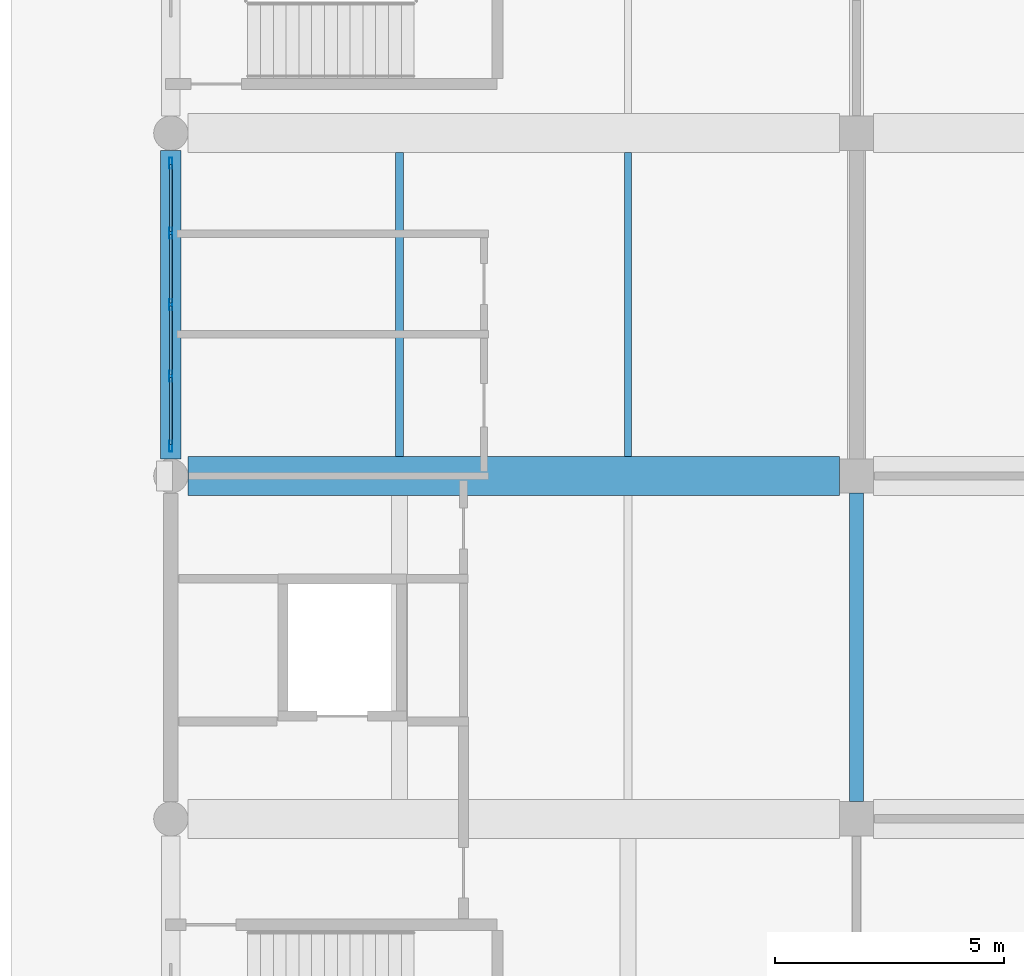
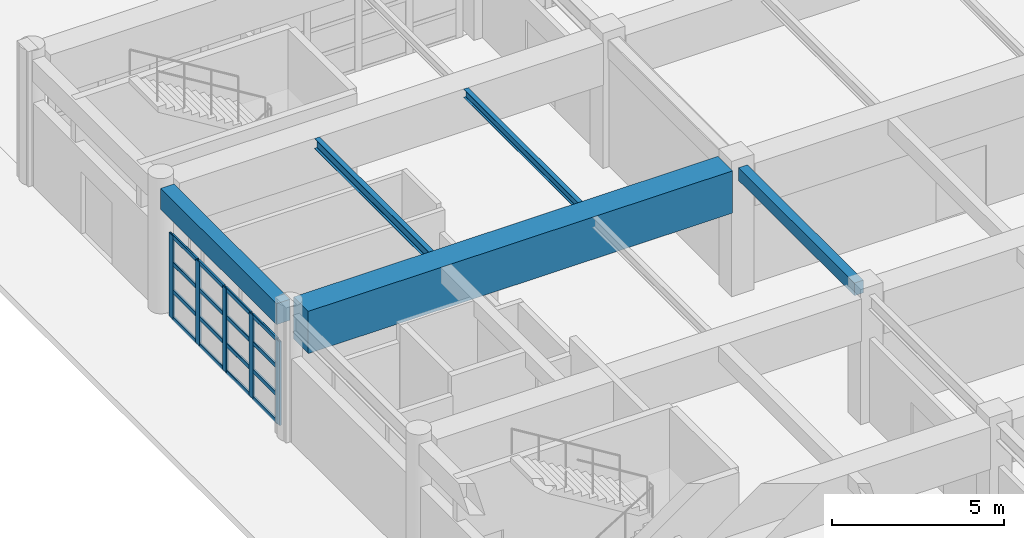
# One storey, part 11 of 122: 21 members, 5 beams, 1 element without a shape of its own.
"""IFC4 building model written with IfcOpenShell, lengths in metres."""

import ifcopenshell
import ifcopenshell.guid

model = None  # the IFC model being written
_history = None  # IfcOwnerHistory: only IFC2X3 demands one
_inside = {}  # id of a spatial element -> (the spatial element, [elements in it])
_under = {}  # id of a project, library or spatial element -> (it, [spatial elements below it])
_declared = {}  # id of a project -> (the project, [libraries it declares])
_typed = {}  # id of a type object -> (the type object, [elements of that type])
_made_of = {}  # id of a material, layer set ... -> (it, [elements and type objects made of it])


def new_model(schema):
    """Start an empty IFC model of exactly this schema.

    Asked for "IFC4X3", IfcOpenShell would pick the latest addendum, in which some entities
    have other attributes; the version numbers below select the first issue.
    IFC2X3 requires an IfcOwnerHistory on every rooted entity: one is made here for all.
    """
    global model, _history
    if schema == "IFC4X3":
        model = ifcopenshell.file(schema_version=(4, 3, 0, 0))
    else:
        model = ifcopenshell.file(schema=schema)
    _inside.clear()
    _under.clear()
    _declared.clear()
    _typed.clear()
    _made_of.clear()
    _history = None
    if model.schema == "IFC2X3":
        org = make("IfcOrganization", Name="unknown")
        user = make(
            "IfcPersonAndOrganization",
            ThePerson=make("IfcPerson", FamilyName="unknown"),
            TheOrganization=org,
        )
        app = make(
            "IfcApplication",
            ApplicationDeveloper=org,
            Version="unknown",
            ApplicationFullName="unknown",
            ApplicationIdentifier="unknown",
        )
        _history = make(
            "IfcOwnerHistory",
            OwningUser=user,
            OwningApplication=app,
            ChangeAction="ADDED",
            CreationDate=0,
        )
    return model


def make(cls, **values):
    """One entity of the class cls with the attributes given. An attribute that is None is left unset."""
    return model.create_entity(
        cls, **{name: value for name, value in values.items() if value is not None}
    )


def rooted(cls, **values):
    """An entity with a GlobalId (a new one), such as an element, a storey or a relation."""
    return make(cls, GlobalId=ifcopenshell.guid.new(), OwnerHistory=_history, **values)


def si_unit(unit_type, name, prefix=None):
    """IfcSIUnit, for example si_unit("LENGTHUNIT", "METRE", prefix="MILLI")."""
    return make("IfcSIUnit", UnitType=unit_type, Prefix=prefix, Name=name)


def assignment(units):
    """IfcUnitAssignment: the units of a project."""
    return None if units is None else make("IfcUnitAssignment", Units=units)


def point(xyz):
    """IfcCartesianPoint."""
    return None if xyz is None else make("IfcCartesianPoint", Coordinates=xyz)


def direction(xyz):
    """IfcDirection."""
    return None if xyz is None else make("IfcDirection", DirectionRatios=xyz)


def frame(location, z_axis=None, x_axis=None):
    """IfcAxis2Placement3D, a coordinate frame: its origin and axes. An axis left out is left unset."""
    return make(
        "IfcAxis2Placement3D",
        Location=point(location),
        Axis=direction(z_axis),
        RefDirection=direction(x_axis),
    )


def frame_2d(location, x_axis=None):
    """IfcAxis2Placement2D, a coordinate frame in the plane: its origin and x axis."""
    return make(
        "IfcAxis2Placement2D", Location=point(location), RefDirection=direction(x_axis)
    )


def origin():
    """The frame at (0, 0, 0) with its axes left unset."""
    return frame((0.0, 0.0, 0.0))


def origin_2d():
    """The frame at (0, 0) in the plane with its x axis left unset."""
    return frame_2d((0.0, 0.0))


def place(relative_to, where):
    """IfcLocalPlacement: puts the frame where relative to a parent placement (None: the world)."""
    return make(
        "IfcLocalPlacement", PlacementRelTo=relative_to, RelativePlacement=where
    )


def context(
    kind, dimensions, precision=None, world=None, true_north=None, identifier=None
):
    """IfcGeometricRepresentationContext, for example the 3D "Model" context."""
    return make(
        "IfcGeometricRepresentationContext",
        ContextIdentifier=identifier,
        ContextType=kind,
        CoordinateSpaceDimension=dimensions,
        Precision=precision,
        WorldCoordinateSystem=world,
        TrueNorth=true_north,
    )


def subcontext(parent, identifier, kind, view, scale=None):
    """IfcGeometricRepresentationSubContext, for example "Body" below "Model"."""
    return make(
        "IfcGeometricRepresentationSubContext",
        ContextIdentifier=identifier,
        ContextType=kind,
        ParentContext=parent,
        TargetScale=scale,
        TargetView=view,
    )


def project(units=None, contexts=None):
    """IfcProject with its units and contexts."""
    return rooted(
        "IfcProject",
        Name="project",
        RepresentationContexts=contexts,
        UnitsInContext=assignment(units),
    )


def spatial(cls, under=None, at=None, **own):
    """A site, building, storey or space (cls), placed at a placement, below another one or the project."""
    s = rooted(cls, ObjectPlacement=at, **own)
    if under is not None:
        _under.setdefault(under.id(), (under, []))[1].append(s)
    return s


def profile(cls, at=None, kind="AREA", **sizes):
    """A parametric profile (cls). Its sizes go by their IFC names, for example OverallWidth=200.0."""
    return make(cls, ProfileType=kind, Position=at, **sizes)


def rectangle(**sizes):
    """IfcRectangleProfileDef."""
    return profile("IfcRectangleProfileDef", **sizes)


def hollow_rectangle(**sizes):
    """IfcRectangleHollowProfileDef."""
    return profile("IfcRectangleHollowProfileDef", **sizes)


def i_section(**sizes):
    """IfcIShapeProfileDef."""
    return profile("IfcIShapeProfileDef", **sizes)


def extrude(swept, where, along, depth):
    """IfcExtrudedAreaSolid: the profile swept, set in the frame where, extruded along a direction by depth."""
    return make(
        "IfcExtrudedAreaSolid",
        SweptArea=swept,
        Position=where,
        ExtrudedDirection=direction(along),
        Depth=depth,
    )


def shape(context_of_items, identifier, shape_type, items):
    """IfcShapeRepresentation: the items that make up one representation, for example the "Body"."""
    return make(
        "IfcShapeRepresentation",
        ContextOfItems=context_of_items,
        RepresentationIdentifier=identifier,
        RepresentationType=shape_type,
        Items=items,
    )


def material(Name=None, Category=None):
    """IfcMaterial."""
    return make("IfcMaterial", Name=Name, Category=Category)


def material_profile(
    of_material, cross_section, Name=None, Category=None, Priority=None
):
    """IfcMaterialProfile: a cross section and its material."""
    return make(
        "IfcMaterialProfile",
        Name=Name,
        Material=of_material,
        Profile=cross_section,
        Priority=Priority,
        Category=Category,
    )


def profile_set(profiles, Name=None, composite=None):
    """IfcMaterialProfileSet."""
    return make(
        "IfcMaterialProfileSet",
        Name=Name,
        MaterialProfiles=profiles,
        CompositeProfile=composite,
    )


def made_of(thing, what):
    """Note that an element or type object is made of a material, layer set ...; save() writes the relation."""
    if what is not None:
        _made_of.setdefault(what.id(), (what, []))[1].append(thing)
    return thing


def type_object(cls, material=None, **own):
    """A type object (cls), such as IfcWallType, which elements share."""
    return made_of(rooted(cls, **own), material)


def element(
    cls,
    number,
    at=None,
    inside=None,
    cuts=None,
    type_object=None,
    material=None,
    context=None,
    identifier="Body",
    shape_type=None,
    held_by="IfcProductDefinitionShape",
    body=None,
    shapes=None,
    **own,
):
    """One element of the class cls, such as IfcWall. Its Tag is "e" and its number.

    at: its placement. inside: the storey or other place that contains it. cuts: it is an
    opening in that element (IfcRelVoidsElement). A single representation is given by context,
    identifier, shape_type and body (its items); several are given by shapes. held_by: the class
    of the entity that holds the representations. save() writes the other relations.
    """
    e = rooted(cls, Tag="e%d" % number, ObjectPlacement=at, **own)
    if body is not None:
        shapes = [shape(context, identifier, shape_type, body)]
    if shapes is not None:
        e.Representation = make(held_by, Representations=shapes)
    if inside is not None:
        _inside.setdefault(inside.id(), (inside, []))[1].append(e)
    if cuts is not None:
        rooted(
            "IfcRelVoidsElement", RelatingBuildingElement=cuts, RelatedOpeningElement=e
        )
    if type_object is not None:
        _typed.setdefault(type_object.id(), (type_object, []))[1].append(e)
    return made_of(e, material)


def aggregate(whole, parts):
    """IfcRelAggregates: a whole, such as a stair, and the parts it consists of."""
    return rooted("IfcRelAggregates", RelatingObject=whole, RelatedObjects=parts)


def save(model, path):
    """Write the relations noted so far, then the file.

    IfcRelAggregates (storeys below a building ...), IfcRelContainedInSpatialStructure (elements
    in a storey), IfcRelDefinesByType, IfcRelAssociatesMaterial and IfcRelDeclares: one each for
    every whole, place, type object, material and project.
    """
    for whole, parts in _under.values():
        aggregate(whole, parts)
    for where, things in _inside.values():
        rooted(
            "IfcRelContainedInSpatialStructure",
            RelatedElements=things,
            RelatingStructure=where,
        )
    for kind, things in _typed.values():
        rooted("IfcRelDefinesByType", RelatedObjects=things, RelatingType=kind)
    for what, things in _made_of.values():
        rooted("IfcRelAssociatesMaterial", RelatedObjects=things, RelatingMaterial=what)
    for by, libraries in _declared.values():
        rooted("IfcRelDeclares", RelatingContext=by, RelatedDefinitions=libraries)
    model.write(path)


model = new_model("IFC4")

# Units and contexts
model_context = context("Model", 3, precision=1e-05, world=origin(), true_north=direction((0.0, 1.0)))
body_context = subcontext(model_context, "Body", "Model", "MODEL_VIEW")
ifc_project = project(units=[si_unit("LENGTHUNIT", "METRE"), si_unit("AREAUNIT", "SQUARE_METRE"), si_unit("VOLUMEUNIT", "CUBIC_METRE"), si_unit("PLANEANGLEUNIT", "RADIAN"), si_unit("MASSUNIT", "GRAM", prefix="KILO")], contexts=[model_context])

# Site, building, storey
site_placement = place(None, origin())
site = spatial("IfcSite", under=ifc_project, at=site_placement, CompositionType="ELEMENT")
building_placement = place(site_placement, origin())
building = spatial("IfcBuilding", under=site, at=building_placement, Name="Qasida Concert Hall", CompositionType="ELEMENT")
storey_placement = place(building_placement, origin())
storey = spatial("IfcBuildingStorey", under=building, at=storey_placement, Name="L00", CompositionType="ELEMENT", Elevation=0.0)

# Beams
ifc_material_1 = material(Name="Concrete C40/50", Category="concrete")
ifc_material_profile_1 = material_profile(ifc_material_1, rectangle(XDim=0.300048828125, YDim=0.449951171875, at=origin_2d()), Name="RC 300x450")
ifc_profile_set_1 = profile_set([ifc_material_profile_1], Name="Concrete C40/50")
beam_type_1 = type_object("IfcBeamType", Name="BM-B3", PredefinedType="BEAM", material=ifc_profile_set_1)
beam_1_placement = place(storey_placement, frame((15.0, 30.375, 4.27490234375), z_axis=(0.0, 1.0, 0.0), x_axis=(-1.0, 0.0, 0.0)))
element("IfcBeam", 1, at=beam_1_placement, inside=storey, type_object=beam_type_1, Name="L00 girder 0543", PredefinedType="BEAM", context=body_context, shape_type="SweptSolid", body=[
    extrude(rectangle(XDim=0.300048828125, YDim=0.449951171875, at=origin_2d()), origin(), (0.0, 0.0, 1.0), 6.75),
])
ifc_material_2 = material(Name="Steel S355J2", Category="steel")
ifc_material_profile_2 = material_profile(ifc_material_2, i_section(OverallWidth=0.169921875, OverallDepth=0.360107421875, WebThickness=0.008056640625, FlangeThickness=0.0126953125, FilletRadius=0.01806640625, at=origin_2d()), Name="IPE 360")
ifc_profile_set_2 = profile_set([ifc_material_profile_2], Name="Steel S355J2")
beam_type_2 = type_object("IfcBeamType", Name="BM-J2", PredefinedType="JOIST", material=ifc_profile_set_2)
beam_2_placement = place(storey_placement, frame((5.0, 37.925048828125, 4.320068359375), z_axis=(0.0, 1.0, 0.0), x_axis=(-1.0, 0.0, 0.0)))
element("IfcBeam", 2, at=beam_2_placement, inside=storey, type_object=beam_type_2, Name="L00 secondary joist 0569", PredefinedType="JOIST", context=body_context, shape_type="SweptSolid", body=[
    extrude(i_section(OverallWidth=0.169921875, OverallDepth=0.360107421875, WebThickness=0.008056640625, FlangeThickness=0.0126953125, FilletRadius=0.01806640625, at=origin_2d()), origin(), (0.0, 0.0, 1.0), 6.64990234375),
])
ifc_material_profile_3 = material_profile(ifc_material_2, i_section(OverallWidth=0.14990234375, OverallDepth=0.300048828125, WebThickness=0.007080078125, FlangeThickness=0.0107421875, FilletRadius=0.014892578125, at=origin_2d()), Name="IPE 300")
ifc_profile_set_3 = profile_set([ifc_material_profile_3], Name="Steel S355J2")
beam_type_3 = type_object("IfcBeamType", Name="BM-J4", PredefinedType="JOIST", material=ifc_profile_set_3)
beam_3_placement = place(storey_placement, frame((10.0, 37.925048828125, 4.35009765625), z_axis=(0.0, 1.0, 0.0), x_axis=(-1.0, 0.0, 0.0)))
element("IfcBeam", 3, at=beam_3_placement, inside=storey, type_object=beam_type_3, Name="L00 secondary joist 0570", PredefinedType="JOIST", context=body_context, shape_type="SweptSolid", body=[
    extrude(i_section(OverallWidth=0.14990234375, OverallDepth=0.300048828125, WebThickness=0.007080078125, FlangeThickness=0.0107421875, FilletRadius=0.014892578125, at=origin_2d()), origin(), (0.0, 0.0, 1.0), 6.64990234375),
])
ifc_material_profile_4 = material_profile(ifc_material_1, rectangle(XDim=0.449951171875, YDim=0.75, at=origin_2d()), Name="RC 450x750")
ifc_profile_set_4 = profile_set([ifc_material_profile_4], Name="Concrete C40/50")
beam_type_4 = type_object("IfcBeamType", Name="BM-SP4", PredefinedType="SPANDREL", material=ifc_profile_set_4)
beam_4_placement = place(storey_placement, frame((0.0, 37.875, 4.125), z_axis=(0.0, 1.0, 0.0), x_axis=(-1.0, 0.0, 0.0)))
element("IfcBeam", 4, at=beam_4_placement, inside=storey, type_object=beam_type_4, Name="L00 girder 0537", PredefinedType="SPANDREL", context=body_context, shape_type="SweptSolid", body=[
    extrude(rectangle(XDim=0.449951171875, YDim=0.75, at=origin_2d()), origin(), (0.0, 0.0, 1.0), 6.75),
])
ifc_material_3 = material(Name="Concrete C50/60", Category="concrete")
ifc_material_profile_5 = material_profile(ifc_material_3, rectangle(XDim=0.85009765625, YDim=1.5, at=origin_2d()), Name="RC 850x1500")
ifc_profile_set_5 = profile_set([ifc_material_profile_5], Name="Concrete C50/60")
beam_type_5 = type_object("IfcBeamType", Name="BM-TG2", PredefinedType="USERDEFINED", material=ifc_profile_set_5)
beam_5_placement = place(storey_placement, frame((0.375, 37.5, 3.75), z_axis=(1.0, 0.0, 0.0), x_axis=(0.0, 1.0, 0.0)))
element("IfcBeam", 5, at=beam_5_placement, inside=storey, type_object=beam_type_5, Name="Transfer girder TG-0523", ObjectType="GIRDER", PredefinedType="USERDEFINED", context=body_context, shape_type="SweptSolid", body=[
    extrude(rectangle(XDim=0.85009765625, YDim=1.5, at=origin_2d()), origin(), (0.0, 0.0, 1.0), 14.25),
])

# Curtain wall, members
ifc_material_4 = material(Name="Architectural bronze-anodized aluminium and low-E glass", Category="aluminium")
curtain_wall_type = type_object("IfcCurtainWallType", Name="CW-06", PredefinedType="NOTDEFINED", material=ifc_material_4)
curtain_wall_placement = place(storey_placement, origin())
curtain_wall = element("IfcCurtainWall", 6, at=curtain_wall_placement, inside=storey, type_object=curtain_wall_type, Name="L00 curtain wall CW-06 0078", PredefinedType="NOTDEFINED")
ifc_material_5 = material(Name="Architectural bronze-anodized aluminium EN AW-6063", Category="aluminium")
ifc_material_profile_6 = material_profile(ifc_material_5, hollow_rectangle(XDim=0.070068359375, YDim=0.239990234375, WallThickness=0.0048828125, InnerFilletRadius=0.0048828125, OuterFilletRadius=0.010009765625, at=origin_2d()), Name="CWM 240x70x5")
ifc_profile_set_6 = profile_set([ifc_material_profile_6], Name="Architectural bronze-anodized aluminium EN AW-6063")
member_type_1 = type_object("IfcMemberType", Name="MB-CWM-1", PredefinedType="MULLION", material=ifc_profile_set_6)
member_1_placement = place(storey_placement, frame((0.0, 38.155029296875, 0.0), z_axis=(0.0, 0.0, 1.0), x_axis=(-1.0, 0.0, 0.0)))
member_1 = element("IfcMember", 7, at=member_1_placement, type_object=member_type_1, Name="CW-06 mullion 1", PredefinedType="MULLION", context=body_context, shape_type="SweptSolid", body=[
    extrude(hollow_rectangle(XDim=0.070068359375, YDim=0.239990234375, WallThickness=0.0048828125, InnerFilletRadius=0.0048828125, OuterFilletRadius=0.010009765625, at=origin_2d()), origin(), (0.0, 0.0, 1.0), 2.969970703125),
])
member_2_placement = place(storey_placement, frame((0.0, 39.68505859375, 0.0), z_axis=(0.0, 0.0, 1.0), x_axis=(-1.0, 0.0, 0.0)))
member_2 = element("IfcMember", 8, at=member_2_placement, type_object=member_type_1, Name="CW-06 mullion 2", PredefinedType="MULLION", context=body_context, shape_type="SweptSolid", body=[
    extrude(hollow_rectangle(XDim=0.070068359375, YDim=0.239990234375, WallThickness=0.0048828125, InnerFilletRadius=0.0048828125, OuterFilletRadius=0.010009765625, at=origin_2d()), origin(), (0.0, 0.0, 1.0), 2.969970703125),
])
member_3_placement = place(storey_placement, frame((0.0, 41.25, 0.0), z_axis=(0.0, 0.0, 1.0), x_axis=(-1.0, 0.0, 0.0)))
member_3 = element("IfcMember", 9, at=member_3_placement, type_object=member_type_1, Name="CW-06 mullion 3", PredefinedType="MULLION", context=body_context, shape_type="SweptSolid", body=[
    extrude(hollow_rectangle(XDim=0.070068359375, YDim=0.239990234375, WallThickness=0.0048828125, InnerFilletRadius=0.0048828125, OuterFilletRadius=0.010009765625, at=origin_2d()), origin(), (0.0, 0.0, 1.0), 2.969970703125),
])
member_4_placement = place(storey_placement, frame((0.0, 42.81494140625, 0.0), z_axis=(0.0, 0.0, 1.0), x_axis=(-1.0, 0.0, 0.0)))
member_4 = element("IfcMember", 10, at=member_4_placement, type_object=member_type_1, Name="CW-06 mullion 4", PredefinedType="MULLION", context=body_context, shape_type="SweptSolid", body=[
    extrude(hollow_rectangle(XDim=0.070068359375, YDim=0.239990234375, WallThickness=0.0048828125, InnerFilletRadius=0.0048828125, OuterFilletRadius=0.010009765625, at=origin_2d()), origin(), (0.0, 0.0, 1.0), 2.969970703125),
])
member_5_placement = place(storey_placement, frame((0.0, 44.344970703125, 0.0), z_axis=(0.0, 0.0, 1.0), x_axis=(-1.0, 0.0, 0.0)))
member_5 = element("IfcMember", 11, at=member_5_placement, type_object=member_type_1, Name="CW-06 mullion 5", PredefinedType="MULLION", context=body_context, shape_type="SweptSolid", body=[
    extrude(hollow_rectangle(XDim=0.070068359375, YDim=0.239990234375, WallThickness=0.0048828125, InnerFilletRadius=0.0048828125, OuterFilletRadius=0.010009765625, at=origin_2d()), origin(), (0.0, 0.0, 1.0), 2.969970703125),
])
ifc_material_profile_7 = material_profile(ifc_material_5, hollow_rectangle(XDim=0.06494140625, YDim=0.14990234375, WallThickness=0.00390625, InnerFilletRadius=0.00390625, OuterFilletRadius=0.008056640625, at=origin_2d()), Name="CWT 150x65x4")
ifc_profile_set_7 = profile_set([ifc_material_profile_7], Name="Architectural bronze-anodized aluminium EN AW-6063")
member_type_2 = type_object("IfcMemberType", Name="MB-CWT-1", PredefinedType="USERDEFINED", material=ifc_profile_set_7)
member_6_placement = place(storey_placement, frame((0.0, 38.18994140625, 0.032470703125), z_axis=(0.0, 1.0, 0.0), x_axis=(-1.0, 0.0, 0.0)))
member_6 = element("IfcMember", 12, at=member_6_placement, type_object=member_type_2, Name="CW-06 transom 1.1", ObjectType="TRANSOM", PredefinedType="USERDEFINED", context=body_context, shape_type="SweptSolid", body=[
    extrude(hollow_rectangle(XDim=0.06494140625, YDim=0.14990234375, WallThickness=0.00390625, InnerFilletRadius=0.00390625, OuterFilletRadius=0.008056640625, at=origin_2d()), origin(), (0.0, 0.0, 1.0), 1.4599609375),
])
member_7_placement = place(storey_placement, frame((0.0, 38.18994140625, 0.989990234375), z_axis=(0.0, 1.0, 0.0), x_axis=(-1.0, 0.0, 0.0)))
member_7 = element("IfcMember", 13, at=member_7_placement, type_object=member_type_2, Name="CW-06 transom 1.2", ObjectType="TRANSOM", PredefinedType="USERDEFINED", context=body_context, shape_type="SweptSolid", body=[
    extrude(hollow_rectangle(XDim=0.06494140625, YDim=0.14990234375, WallThickness=0.00390625, InnerFilletRadius=0.00390625, OuterFilletRadius=0.008056640625, at=origin_2d()), origin(), (0.0, 0.0, 1.0), 1.4599609375),
])
member_8_placement = place(storey_placement, frame((0.0, 38.18994140625, 1.97998046875), z_axis=(0.0, 1.0, 0.0), x_axis=(-1.0, 0.0, 0.0)))
member_8 = element("IfcMember", 14, at=member_8_placement, type_object=member_type_2, Name="CW-06 transom 1.3", ObjectType="TRANSOM", PredefinedType="USERDEFINED", context=body_context, shape_type="SweptSolid", body=[
    extrude(hollow_rectangle(XDim=0.06494140625, YDim=0.14990234375, WallThickness=0.00390625, InnerFilletRadius=0.00390625, OuterFilletRadius=0.008056640625, at=origin_2d()), origin(), (0.0, 0.0, 1.0), 1.4599609375),
])
member_9_placement = place(storey_placement, frame((0.0, 38.18994140625, 2.9375), z_axis=(0.0, 1.0, 0.0), x_axis=(-1.0, 0.0, 0.0)))
member_9 = element("IfcMember", 15, at=member_9_placement, type_object=member_type_2, Name="CW-06 transom 1.4", ObjectType="TRANSOM", PredefinedType="USERDEFINED", context=body_context, shape_type="SweptSolid", body=[
    extrude(hollow_rectangle(XDim=0.06494140625, YDim=0.14990234375, WallThickness=0.00390625, InnerFilletRadius=0.00390625, OuterFilletRadius=0.008056640625, at=origin_2d()), origin(), (0.0, 0.0, 1.0), 1.4599609375),
])
member_10_placement = place(storey_placement, frame((0.0, 39.719970703125, 0.032470703125), z_axis=(0.0, 1.0, 0.0), x_axis=(-1.0, 0.0, 0.0)))
member_10 = element("IfcMember", 16, at=member_10_placement, type_object=member_type_2, Name="CW-06 transom 2.1", ObjectType="TRANSOM", PredefinedType="USERDEFINED", context=body_context, shape_type="SweptSolid", body=[
    extrude(hollow_rectangle(XDim=0.06494140625, YDim=0.14990234375, WallThickness=0.00390625, InnerFilletRadius=0.00390625, OuterFilletRadius=0.008056640625, at=origin_2d()), origin(), (0.0, 0.0, 1.0), 1.4951171875),
])
member_11_placement = place(storey_placement, frame((0.0, 39.719970703125, 0.989990234375), z_axis=(0.0, 1.0, 0.0), x_axis=(-1.0, 0.0, 0.0)))
member_11 = element("IfcMember", 17, at=member_11_placement, type_object=member_type_2, Name="CW-06 transom 2.2", ObjectType="TRANSOM", PredefinedType="USERDEFINED", context=body_context, shape_type="SweptSolid", body=[
    extrude(hollow_rectangle(XDim=0.06494140625, YDim=0.14990234375, WallThickness=0.00390625, InnerFilletRadius=0.00390625, OuterFilletRadius=0.008056640625, at=origin_2d()), origin(), (0.0, 0.0, 1.0), 1.4951171875),
])
member_12_placement = place(storey_placement, frame((0.0, 39.719970703125, 1.97998046875), z_axis=(0.0, 1.0, 0.0), x_axis=(-1.0, 0.0, 0.0)))
member_12 = element("IfcMember", 18, at=member_12_placement, type_object=member_type_2, Name="CW-06 transom 2.3", ObjectType="TRANSOM", PredefinedType="USERDEFINED", context=body_context, shape_type="SweptSolid", body=[
    extrude(hollow_rectangle(XDim=0.06494140625, YDim=0.14990234375, WallThickness=0.00390625, InnerFilletRadius=0.00390625, OuterFilletRadius=0.008056640625, at=origin_2d()), origin(), (0.0, 0.0, 1.0), 1.4951171875),
])
member_13_placement = place(storey_placement, frame((0.0, 39.719970703125, 2.9375), z_axis=(0.0, 1.0, 0.0), x_axis=(-1.0, 0.0, 0.0)))
member_13 = element("IfcMember", 19, at=member_13_placement, type_object=member_type_2, Name="CW-06 transom 2.4", ObjectType="TRANSOM", PredefinedType="USERDEFINED", context=body_context, shape_type="SweptSolid", body=[
    extrude(hollow_rectangle(XDim=0.06494140625, YDim=0.14990234375, WallThickness=0.00390625, InnerFilletRadius=0.00390625, OuterFilletRadius=0.008056640625, at=origin_2d()), origin(), (0.0, 0.0, 1.0), 1.4951171875),
])
member_14_placement = place(storey_placement, frame((0.0, 41.284912109375, 0.032470703125), z_axis=(0.0, 1.0, 0.0), x_axis=(-1.0, 0.0, 0.0)))
member_14 = element("IfcMember", 20, at=member_14_placement, type_object=member_type_2, Name="CW-06 transom 3.1", ObjectType="TRANSOM", PredefinedType="USERDEFINED", context=body_context, shape_type="SweptSolid", body=[
    extrude(hollow_rectangle(XDim=0.06494140625, YDim=0.14990234375, WallThickness=0.00390625, InnerFilletRadius=0.00390625, OuterFilletRadius=0.008056640625, at=origin_2d()), origin(), (0.0, 0.0, 1.0), 1.4951171875),
])
member_15_placement = place(storey_placement, frame((0.0, 41.284912109375, 0.989990234375), z_axis=(0.0, 1.0, 0.0), x_axis=(-1.0, 0.0, 0.0)))
member_15 = element("IfcMember", 21, at=member_15_placement, type_object=member_type_2, Name="CW-06 transom 3.2", ObjectType="TRANSOM", PredefinedType="USERDEFINED", context=body_context, shape_type="SweptSolid", body=[
    extrude(hollow_rectangle(XDim=0.06494140625, YDim=0.14990234375, WallThickness=0.00390625, InnerFilletRadius=0.00390625, OuterFilletRadius=0.008056640625, at=origin_2d()), origin(), (0.0, 0.0, 1.0), 1.4951171875),
])
member_16_placement = place(storey_placement, frame((0.0, 41.284912109375, 1.97998046875), z_axis=(0.0, 1.0, 0.0), x_axis=(-1.0, 0.0, 0.0)))
member_16 = element("IfcMember", 22, at=member_16_placement, type_object=member_type_2, Name="CW-06 transom 3.3", ObjectType="TRANSOM", PredefinedType="USERDEFINED", context=body_context, shape_type="SweptSolid", body=[
    extrude(hollow_rectangle(XDim=0.06494140625, YDim=0.14990234375, WallThickness=0.00390625, InnerFilletRadius=0.00390625, OuterFilletRadius=0.008056640625, at=origin_2d()), origin(), (0.0, 0.0, 1.0), 1.4951171875),
])
member_17_placement = place(storey_placement, frame((0.0, 41.284912109375, 2.9375), z_axis=(0.0, 1.0, 0.0), x_axis=(-1.0, 0.0, 0.0)))
member_17 = element("IfcMember", 23, at=member_17_placement, type_object=member_type_2, Name="CW-06 transom 3.4", ObjectType="TRANSOM", PredefinedType="USERDEFINED", context=body_context, shape_type="SweptSolid", body=[
    extrude(hollow_rectangle(XDim=0.06494140625, YDim=0.14990234375, WallThickness=0.00390625, InnerFilletRadius=0.00390625, OuterFilletRadius=0.008056640625, at=origin_2d()), origin(), (0.0, 0.0, 1.0), 1.4951171875),
])
member_18_placement = place(storey_placement, frame((0.0, 42.85009765625, 0.032470703125), z_axis=(0.0, 1.0, 0.0), x_axis=(-1.0, 0.0, 0.0)))
member_18 = element("IfcMember", 24, at=member_18_placement, type_object=member_type_2, Name="CW-06 transom 4.1", ObjectType="TRANSOM", PredefinedType="USERDEFINED", context=body_context, shape_type="SweptSolid", body=[
    extrude(hollow_rectangle(XDim=0.06494140625, YDim=0.14990234375, WallThickness=0.00390625, InnerFilletRadius=0.00390625, OuterFilletRadius=0.008056640625, at=origin_2d()), origin(), (0.0, 0.0, 1.0), 1.4599609375),
])
member_19_placement = place(storey_placement, frame((0.0, 42.85009765625, 0.989990234375), z_axis=(0.0, 1.0, 0.0), x_axis=(-1.0, 0.0, 0.0)))
member_19 = element("IfcMember", 25, at=member_19_placement, type_object=member_type_2, Name="CW-06 transom 4.2", ObjectType="TRANSOM", PredefinedType="USERDEFINED", context=body_context, shape_type="SweptSolid", body=[
    extrude(hollow_rectangle(XDim=0.06494140625, YDim=0.14990234375, WallThickness=0.00390625, InnerFilletRadius=0.00390625, OuterFilletRadius=0.008056640625, at=origin_2d()), origin(), (0.0, 0.0, 1.0), 1.4599609375),
])
member_20_placement = place(storey_placement, frame((0.0, 42.85009765625, 1.97998046875), z_axis=(0.0, 1.0, 0.0), x_axis=(-1.0, 0.0, 0.0)))
member_20 = element("IfcMember", 26, at=member_20_placement, type_object=member_type_2, Name="CW-06 transom 4.3", ObjectType="TRANSOM", PredefinedType="USERDEFINED", context=body_context, shape_type="SweptSolid", body=[
    extrude(hollow_rectangle(XDim=0.06494140625, YDim=0.14990234375, WallThickness=0.00390625, InnerFilletRadius=0.00390625, OuterFilletRadius=0.008056640625, at=origin_2d()), origin(), (0.0, 0.0, 1.0), 1.4599609375),
])
member_21_placement = place(storey_placement, frame((0.0, 42.85009765625, 2.9375), z_axis=(0.0, 1.0, 0.0), x_axis=(-1.0, 0.0, 0.0)))
member_21 = element("IfcMember", 27, at=member_21_placement, type_object=member_type_2, Name="CW-06 transom 4.4", ObjectType="TRANSOM", PredefinedType="USERDEFINED", context=body_context, shape_type="SweptSolid", body=[
    extrude(hollow_rectangle(XDim=0.06494140625, YDim=0.14990234375, WallThickness=0.00390625, InnerFilletRadius=0.00390625, OuterFilletRadius=0.008056640625, at=origin_2d()), origin(), (0.0, 0.0, 1.0), 1.4599609375),
])
aggregate(curtain_wall, [member_1, member_2, member_3, member_4, member_5, member_6, member_7, member_8, member_9, member_10, member_11, member_12, member_13, member_14, member_15, member_16, member_17, member_18, member_19, member_20, member_21])

save(model, "model.ifc")
